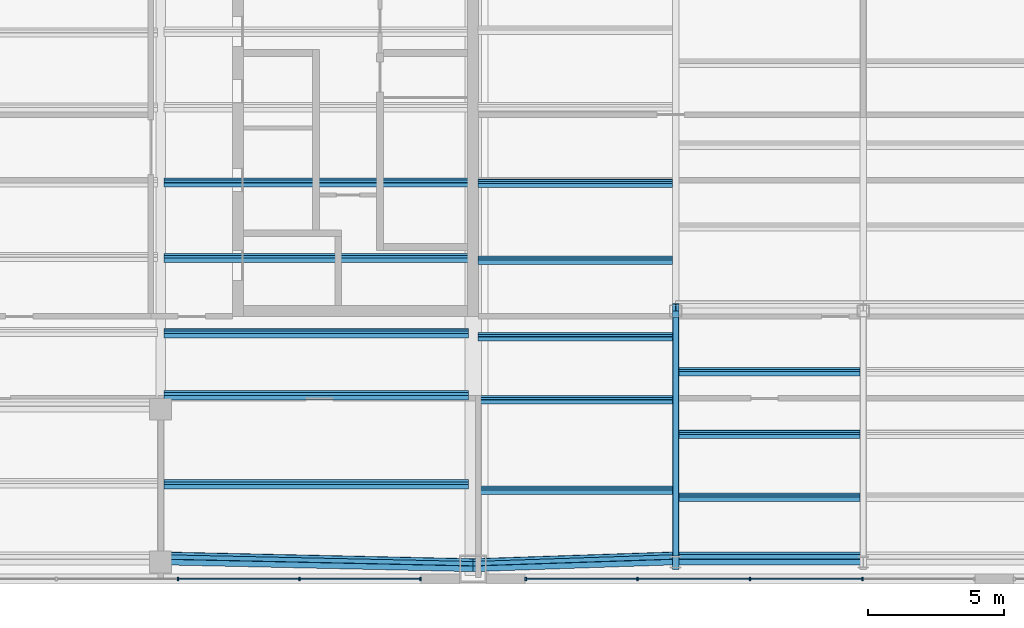
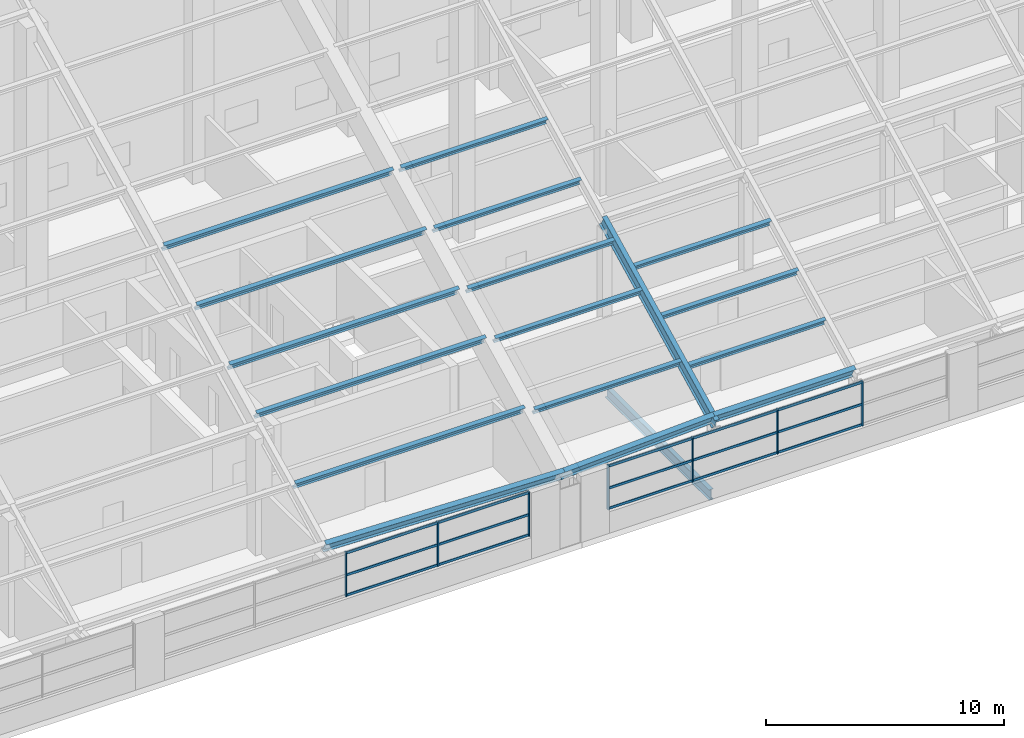
# One storey, part 7 of 28: 39 members, 1 beam, 2 elements without a shape of their own.
"""IFC4 building model written with IfcOpenShell, lengths in metres."""

from ifc_helpers import new_model, si_unit, direction, frame, origin, origin_2d, place, context, subcontext, project, spatial, rectangle, i_section, extrude, material, material_profile, profile_set, type_object, element, aggregate, save


model = new_model("IFC4")

# Units and contexts
model_context = context("Model", 3, precision=1e-05, world=origin(), true_north=direction((0.0, 1.0)))
body_context = subcontext(model_context, "Body", "Model", "MODEL_VIEW")
ifc_project = project(units=[si_unit("LENGTHUNIT", "METRE"), si_unit("AREAUNIT", "SQUARE_METRE"), si_unit("VOLUMEUNIT", "CUBIC_METRE"), si_unit("PLANEANGLEUNIT", "RADIAN"), si_unit("MASSUNIT", "GRAM", prefix="KILO")], contexts=[model_context])

# Site, building, storey
site_placement = place(None, origin())
site = spatial("IfcSite", under=ifc_project, at=site_placement, CompositionType="ELEMENT")
building_placement = place(site_placement, origin())
building = spatial("IfcBuilding", under=site, at=building_placement, Name="Tuart Gate Housing", CompositionType="ELEMENT")
storey_placement = place(building_placement, frame((0.0, 0.0, 243.89990234375)))
storey = spatial("IfcBuildingStorey", under=building, at=storey_placement, Name="L68", CompositionType="ELEMENT", Elevation=243.89990234375)

# Members
ifc_material_1 = material(Name="Steel Grade 350", Category="steel")
ifc_material_profile_1 = material_profile(ifc_material_1, i_section(OverallWidth=0.22900390625, OverallDepth=0.612060546875, WebThickness=0.011962890625, FlangeThickness=0.01953125, at=origin_2d()), Name="610UB125")
ifc_profile_set_1 = profile_set([ifc_material_profile_1], Name="Steel Grade 350")
member_type_1 = type_object("IfcMemberType", Name="Crown purlin 610 UB125", PredefinedType="PURLIN", material=ifc_profile_set_1)
member_1_placement = place(storey_placement, frame((75.449951171875, 54.686767578125, 3.301513671875), z_axis=(0.999292216984, 0.03364598133, 0.016822990665), x_axis=(-0.037617349195, 0.893667083504, 0.44715106944)))
element("IfcMember", 1, at=member_1_placement, inside=storey, type_object=member_type_1, Name="Crown purlin 2", PredefinedType="PURLIN", context=body_context, shape_type="SweptSolid", body=[
    extrude(i_section(OverallWidth=0.22900390625, OverallDepth=0.612060546875, WebThickness=0.011962890625, FlangeThickness=0.01953125, at=origin_2d()), origin(), (0.0, 0.0, 1.0), 7.430419921875),
])
member_2_placement = place(storey_placement, frame((82.875, 54.936767578125, 3.426513671875), z_axis=(1.0, 0.0, 0.0), x_axis=(0.0, 0.89442680992, 0.44721435766)))
element("IfcMember", 2, at=member_2_placement, inside=storey, type_object=member_type_1, Name="Crown purlin 7", PredefinedType="PURLIN", context=body_context, shape_type="SweptSolid", body=[
    extrude(i_section(OverallWidth=0.22900390625, OverallDepth=0.612060546875, WebThickness=0.011962890625, FlangeThickness=0.01953125, at=origin_2d()), origin(), (0.0, 0.0, 1.0), 6.875),
])
ifc_material_2 = material(Name="Steel Grade 350", Category="steel")
ifc_material_profile_2 = material_profile(ifc_material_2, i_section(OverallWidth=0.22900390625, OverallDepth=0.612060546875, WebThickness=0.011962890625, FlangeThickness=0.01953125, at=origin_2d()), Name="610UB125")
ifc_profile_set_2 = profile_set([ifc_material_profile_2], Name="Steel Grade 350")
member_type_2 = type_object("IfcMemberType", Name="Crown purlin 610 UB125 (11.5-13.5 m)", PredefinedType="PURLIN", material=ifc_profile_set_2)
member_3_placement = place(storey_placement, frame((64.0, 54.936767578125, 3.426513671875), z_axis=(0.999702176669, -0.021827651526, -0.010913825763), x_axis=(0.024404056125, 0.894107142767, 0.447187722659)))
element("IfcMember", 3, at=member_3_placement, inside=storey, type_object=member_type_2, Name="Crown purlin 6", PredefinedType="PURLIN", context=body_context, shape_type="SweptSolid", body=[
    extrude(i_section(OverallWidth=0.22900390625, OverallDepth=0.612060546875, WebThickness=0.011962890625, FlangeThickness=0.01953125, at=origin_2d()), origin(), (0.0, 0.0, 1.0), 11.453369140625),
])
ifc_material_3 = material(Name="Steel Grade 350", Category="steel")
ifc_material_profile_3 = material_profile(ifc_material_3, i_section(OverallWidth=0.22900390625, OverallDepth=0.612060546875, WebThickness=0.011962890625, FlangeThickness=0.01953125, at=origin_2d()), Name="610UB125")
ifc_profile_set_3 = profile_set([ifc_material_profile_3], Name="Steel Grade 350")
member_type_3 = type_object("IfcMemberType", Name="Crown rafter 610 UB125 (10.3-10.6 m)", PredefinedType="RAFTER", material=ifc_profile_set_3)
member_4_placement = place(storey_placement, frame((82.875, 54.6630859375, 3.28955078125), z_axis=(0.0, 0.894427191, 0.4472135955), x_axis=(-1.0, 0.0, 0.0)))
element("IfcMember", 4, at=member_4_placement, inside=storey, type_object=member_type_3, Name="Crown rafter 12", PredefinedType="RAFTER", context=body_context, shape_type="SweptSolid", body=[
    extrude(i_section(OverallWidth=0.22900390625, OverallDepth=0.612060546875, WebThickness=0.011962890625, FlangeThickness=0.01953125, at=origin_2d()), origin(), (0.0, 0.0, 1.0), 10.591796875),
])
ifc_material_4 = material(Name="Steel Grade 350", Category="steel")
ifc_material_profile_4 = material_profile(ifc_material_4, i_section(OverallWidth=0.1708984375, OverallDepth=0.35205078125, WebThickness=0.0068359375, FlangeThickness=0.009765625, at=origin_2d()), Name="360UB44.7")
ifc_profile_set_4 = profile_set([ifc_material_profile_4], Name="Steel Grade 350")
member_type_4 = type_object("IfcMemberType", Name="Crown secondary purlin 360 UB44.7", PredefinedType="PURLIN", material=ifc_profile_set_4)
member_5_placement = place(storey_placement, frame((82.989501953125, 57.1787109375, 4.692626953125), z_axis=(1.0, 0.0, 0.0), x_axis=(0.0, 0.89442680992, 0.44721435766)))
element("IfcMember", 5, at=member_5_placement, inside=storey, type_object=member_type_4, Name="Crown secondary purlin 1", PredefinedType="PURLIN", context=body_context, shape_type="SweptSolid", body=[
    extrude(i_section(OverallWidth=0.1708984375, OverallDepth=0.35205078125, WebThickness=0.0068359375, FlangeThickness=0.009765625, at=origin_2d()), origin(), (0.0, 0.0, 1.0), 6.64599609375),
])
member_6_placement = place(storey_placement, frame((75.625, 57.437744140625, 4.822265625), z_axis=(1.0, 0.0, 0.0), x_axis=(0.0, 0.89442680992, 0.44721435766)))
element("IfcMember", 6, at=member_6_placement, inside=storey, type_object=member_type_4, Name="Crown secondary purlin 8", PredefinedType="PURLIN", context=body_context, shape_type="SweptSolid", body=[
    extrude(i_section(OverallWidth=0.1708984375, OverallDepth=0.35205078125, WebThickness=0.0068359375, FlangeThickness=0.009765625, at=origin_2d()), origin(), (0.0, 0.0, 1.0), 7.135498046875),
])
member_7_placement = place(storey_placement, frame((82.989501953125, 59.478759765625, 5.8427734375), z_axis=(1.0, 0.0, 0.0), x_axis=(0.0, 0.89442680992, 0.44721435766)))
element("IfcMember", 7, at=member_7_placement, inside=storey, type_object=member_type_4, Name="Crown secondary purlin 16", PredefinedType="PURLIN", context=body_context, shape_type="SweptSolid", body=[
    extrude(i_section(OverallWidth=0.1708984375, OverallDepth=0.35205078125, WebThickness=0.0068359375, FlangeThickness=0.009765625, at=origin_2d()), origin(), (0.0, 0.0, 1.0), 6.64599609375),
])
member_8_placement = place(storey_placement, frame((75.625, 60.746826171875, 6.476806640625), z_axis=(1.0, 0.0, 0.0), x_axis=(0.0, 0.89442680992, 0.44721435766)))
element("IfcMember", 8, at=member_8_placement, inside=storey, type_object=member_type_4, Name="Crown secondary purlin 23", PredefinedType="PURLIN", context=body_context, shape_type="SweptSolid", body=[
    extrude(i_section(OverallWidth=0.1708984375, OverallDepth=0.35205078125, WebThickness=0.0068359375, FlangeThickness=0.009765625, at=origin_2d()), origin(), (0.0, 0.0, 1.0), 7.135498046875),
])
member_9_placement = place(storey_placement, frame((82.989501953125, 61.77880859375, 6.99267578125), z_axis=(1.0, 0.0, 0.0), x_axis=(0.0, 0.89442680992, 0.44721435766)))
element("IfcMember", 9, at=member_9_placement, inside=storey, type_object=member_type_4, Name="Crown secondary purlin 28", PredefinedType="PURLIN", context=body_context, shape_type="SweptSolid", body=[
    extrude(i_section(OverallWidth=0.1708984375, OverallDepth=0.35205078125, WebThickness=0.0068359375, FlangeThickness=0.009765625, at=origin_2d()), origin(), (0.0, 0.0, 1.0), 6.64599609375),
])
for number, where, z_axis, x_axis, name in (
    (10, (75.625, 63.055908203125, 7.63134765625), (1.0, 0.0, 0.0), (0.0, 0.89442680992, 0.44721435766), "Crown secondary purlin 35"),
    (11, (75.625, 65.864990234375, 9.035888671875), (1.0, 0.0, 0.0), (0.0, 0.89442680992, 0.44721435766), "Crown secondary purlin 44"),
    (12, (75.625, 68.67431640625, 10.4404296875), (1.0, 0.0, 0.0), (0.0, 0.89442680992, 0.44721435766), "Crown secondary purlin 62"),
):
    element("IfcMember", number, at=place(storey_placement, frame(where, z_axis=z_axis, x_axis=x_axis)), inside=storey, type_object=member_type_4, Name=name, PredefinedType="PURLIN", context=body_context, shape_type="SweptSolid", body=[
        extrude(i_section(OverallWidth=0.1708984375, OverallDepth=0.35205078125, WebThickness=0.0068359375, FlangeThickness=0.009765625, at=origin_2d()), origin(), (0.0, 0.0, 1.0), 7.135498046875),
    ])
ifc_material_5 = material(Name="Steel Grade 350", Category="steel")
ifc_material_profile_5 = material_profile(ifc_material_5, i_section(OverallWidth=0.177978515625, OverallDepth=0.403076171875, WebThickness=0.007568359375, FlangeThickness=0.010986328125, at=origin_2d()), Name="410UB53.7")
ifc_profile_set_5 = profile_set([ifc_material_profile_5], Name="Steel Grade 350")
member_type_5 = type_object("IfcMemberType", Name="Crown secondary purlin 410 UB53.7", PredefinedType="PURLIN", material=ifc_profile_set_5)
for number, where, z_axis, x_axis, name in (
    (13, (64.114501953125, 57.65380859375, 4.901611328125), (1.0, 0.0, 0.0), (0.0, 0.89442680992, 0.44721435766), "Crown secondary purlin 12"),
    (14, (64.114501953125, 60.91748046875, 6.533447265625), (1.0, 0.0, 0.0), (0.0, 0.89442680992, 0.44721435766), "Crown secondary purlin 25"),
    (15, (64.114501953125, 63.180908203125, 7.665283203125), (1.0, 0.0, 0.0), (0.0, 0.89442680992, 0.44721435766), "Crown secondary purlin 39"),
    (16, (64.114501953125, 65.944580078125, 9.047119140625), (1.0, 0.0, 0.0), (0.0, 0.89442680992, 0.44721435766), "Crown secondary purlin 48"),
    (17, (64.114501953125, 68.708251953125, 10.428955078125), (1.0, 0.0, 0.0), (0.0, 0.89442680992, 0.44721435766), "Crown secondary purlin 61"),
):
    element("IfcMember", number, at=place(storey_placement, frame(where, z_axis=z_axis, x_axis=x_axis)), inside=storey, type_object=member_type_5, Name=name, PredefinedType="PURLIN", context=body_context, shape_type="SweptSolid", body=[
        extrude(i_section(OverallWidth=0.177978515625, OverallDepth=0.403076171875, WebThickness=0.007568359375, FlangeThickness=0.010986328125, at=origin_2d()), origin(), (0.0, 0.0, 1.0), 11.160400390625),
    ])

# Beam
ifc_material_6 = material(Name="Steel Grade 350", Category="steel")
ifc_material_profile_6 = material_profile(ifc_material_6, i_section(OverallWidth=0.208984375, OverallDepth=0.532958984375, WebThickness=0.01025390625, FlangeThickness=0.015625, at=origin_2d()), Name="530UB92.4")
ifc_profile_set_6 = profile_set([ifc_material_profile_6], Name="Steel Grade 350")
beam_type = type_object("IfcBeamType", Name="Floor beam 530 UB92.4", PredefinedType="BEAM", material=ifc_profile_set_6)
beam_placement = place(storey_placement, frame((82.875, 55.014892578125, -0.56689453125), z_axis=(0.0, 1.0, 0.0), x_axis=(-1.0, 0.0, 0.0)))
element("IfcBeam", 18, at=beam_placement, inside=storey, type_object=beam_type, Name="Block floor beam L68 bay 1 position 1", PredefinedType="BEAM", context=body_context, shape_type="SweptSolid", body=[
    extrude(i_section(OverallWidth=0.208984375, OverallDepth=0.532958984375, WebThickness=0.01025390625, FlangeThickness=0.015625, at=origin_2d()), origin(), (0.0, 0.0, 1.0), 8.77001953125),
])

# Curtain wall, members
ifc_material_7 = material(Name="Aluminium and clear glass", Category="aluminium")
curtain_wall_type = type_object("IfcCurtainWallType", Name="Crown clerestory glazing", PredefinedType="USERDEFINED", material=ifc_material_7)
curtain_wall_1_placement = place(storey_placement, origin())
curtain_wall_1 = element("IfcCurtainWall", 19, at=curtain_wall_1_placement, inside=storey, type_object=curtain_wall_type, Name="Crown clerestory glazing BLK-S L68", ObjectType="CROWN CLERESTORY GLAZING", PredefinedType="USERDEFINED")
ifc_material_8 = material(Name="Anodised aluminium", Category="aluminium")
ifc_material_profile_7 = material_profile(ifc_material_8, rectangle(XDim=0.06005859375, YDim=0.125, at=origin_2d()), Name="60x125")
ifc_profile_set_7 = profile_set([ifc_material_profile_7], Name="Anodised aluminium")
member_type_6 = type_object("IfcMemberType", Name="Mullion 60 x 125", PredefinedType="MULLION", material=ifc_profile_set_7)
member_10_placement = place(storey_placement, frame((64.631103515625, 54.179931640625, 1.10009765625), z_axis=(0.0, 0.0, 1.0), x_axis=(1.0, 0.0, 0.0)))
member_10 = element("IfcMember", 20, at=member_10_placement, type_object=member_type_6, Name="CW6 mullion 3", PredefinedType="MULLION", context=body_context, shape_type="SweptSolid", body=[
    extrude(rectangle(XDim=0.06005859375, YDim=0.125, at=origin_2d()), origin(), (0.0, 0.0, 1.0), 2.2900390625),
])
member_11_placement = place(storey_placement, frame((69.090576171875, 54.179931640625, 1.10009765625), z_axis=(0.0, 0.0, 1.0), x_axis=(1.0, 0.0, 0.0)))
member_11 = element("IfcMember", 21, at=member_11_placement, type_object=member_type_6, Name="CW6 mullion 4", PredefinedType="MULLION", context=body_context, shape_type="SweptSolid", body=[
    extrude(rectangle(XDim=0.06005859375, YDim=0.125, at=origin_2d()), origin(), (0.0, 0.0, 1.0), 2.2900390625),
])
member_12_placement = place(storey_placement, frame((73.52001953125, 54.179931640625, 1.10009765625), z_axis=(0.0, 0.0, 1.0), x_axis=(1.0, 0.0, 0.0)))
member_12 = element("IfcMember", 22, at=member_12_placement, type_object=member_type_6, Name="CW6 mullion 5", PredefinedType="MULLION", context=body_context, shape_type="SweptSolid", body=[
    extrude(rectangle(XDim=0.06005859375, YDim=0.125, at=origin_2d()), origin(), (0.0, 0.0, 1.0), 2.2900390625),
])

curtain_wall_2_placement = place(storey_placement, origin())
curtain_wall_2 = element("IfcCurtainWall", 23, at=curtain_wall_2_placement, inside=storey, type_object=curtain_wall_type, Name="Crown clerestory glazing BLK-S L68", ObjectType="CROWN CLERESTORY GLAZING", PredefinedType="USERDEFINED")
member_13_placement = place(storey_placement, frame((77.3798828125, 54.179931640625, 1.10009765625), z_axis=(0.0, 0.0, 1.0), x_axis=(1.0, 0.0, 0.0)))
member_13 = element("IfcMember", 24, at=member_13_placement, type_object=member_type_6, Name="CW6 mullion 1", PredefinedType="MULLION", context=body_context, shape_type="SweptSolid", body=[
    extrude(rectangle(XDim=0.06005859375, YDim=0.125, at=origin_2d()), origin(), (0.0, 0.0, 1.0), 2.2900390625),
])
member_14_placement = place(storey_placement, frame((81.47509765625, 54.179931640625, 1.10009765625), z_axis=(0.0, 0.0, 1.0), x_axis=(1.0, 0.0, 0.0)))
member_14 = element("IfcMember", 25, at=member_14_placement, type_object=member_type_6, Name="CW6 mullion 2", PredefinedType="MULLION", context=body_context, shape_type="SweptSolid", body=[
    extrude(rectangle(XDim=0.06005859375, YDim=0.125, at=origin_2d()), origin(), (0.0, 0.0, 1.0), 2.2900390625),
])
member_15_placement = place(storey_placement, frame((85.60009765625, 54.179931640625, 1.10009765625), z_axis=(0.0, 0.0, 1.0), x_axis=(1.0, 0.0, 0.0)))
member_15 = element("IfcMember", 26, at=member_15_placement, type_object=member_type_6, Name="CW6 mullion 3", PredefinedType="MULLION", context=body_context, shape_type="SweptSolid", body=[
    extrude(rectangle(XDim=0.06005859375, YDim=0.125, at=origin_2d()), origin(), (0.0, 0.0, 1.0), 2.2900390625),
])
member_16_placement = place(storey_placement, frame((89.72509765625, 54.179931640625, 1.10009765625), z_axis=(0.0, 0.0, 1.0), x_axis=(1.0, 0.0, 0.0)))
member_16 = element("IfcMember", 27, at=member_16_placement, type_object=member_type_6, Name="CW6 mullion 4", PredefinedType="MULLION", context=body_context, shape_type="SweptSolid", body=[
    extrude(rectangle(XDim=0.06005859375, YDim=0.125, at=origin_2d()), origin(), (0.0, 0.0, 1.0), 2.2900390625),
])

# Member
ifc_material_9 = material(Name="Anodised aluminium", Category="aluminium")
ifc_material_profile_8 = material_profile(ifc_material_9, rectangle(XDim=0.06005859375, YDim=0.1201171875, at=origin_2d()), Name="60x120")
ifc_profile_set_8 = profile_set([ifc_material_profile_8], Name="Anodised aluminium")
member_type_7 = type_object("IfcMemberType", Name="Transom 60 x 120", PredefinedType="USERDEFINED", material=ifc_profile_set_8)
member_17_placement = place(storey_placement, frame((64.6611328125, 54.179931640625, 1.16015625), z_axis=(1.0, 0.0, 0.0), x_axis=(0.0, 1.0, 0.0)))
member_17 = element("IfcMember", 28, at=member_17_placement, type_object=member_type_7, Name="CW6 transom 3.1", ObjectType="TRANSOM", PredefinedType="USERDEFINED", context=body_context, shape_type="SweptSolid", body=[
    extrude(rectangle(XDim=0.06005859375, YDim=0.1201171875, at=origin_2d()), origin(), (0.0, 0.0, 1.0), 4.3994140625),
])

member_18_placement = place(storey_placement, frame((64.6611328125, 54.179931640625, 2.2001953125), z_axis=(1.0, 0.0, 0.0), x_axis=(0.0, 1.0, 0.0)))
member_18 = element("IfcMember", 29, at=member_18_placement, type_object=member_type_7, Name="CW6 transom 3.2", ObjectType="TRANSOM", PredefinedType="USERDEFINED", context=body_context, shape_type="SweptSolid", body=[
    extrude(rectangle(XDim=0.06005859375, YDim=0.1201171875, at=origin_2d()), origin(), (0.0, 0.0, 1.0), 4.3994140625),
])

member_19_placement = place(storey_placement, frame((64.6611328125, 54.179931640625, 3.330078125), z_axis=(1.0, 0.0, 0.0), x_axis=(0.0, 1.0, 0.0)))
member_19 = element("IfcMember", 30, at=member_19_placement, type_object=member_type_7, Name="CW6 transom 3.3", ObjectType="TRANSOM", PredefinedType="USERDEFINED", context=body_context, shape_type="SweptSolid", body=[
    extrude(rectangle(XDim=0.06005859375, YDim=0.1201171875, at=origin_2d()), origin(), (0.0, 0.0, 1.0), 4.3994140625),
])

member_20_placement = place(storey_placement, frame((69.12060546875, 54.179931640625, 1.16015625), z_axis=(1.0, 0.0, 0.0), x_axis=(0.0, 1.0, 0.0)))
member_20 = element("IfcMember", 31, at=member_20_placement, type_object=member_type_7, Name="CW6 transom 4.1", ObjectType="TRANSOM", PredefinedType="USERDEFINED", context=body_context, shape_type="SweptSolid", body=[
    extrude(rectangle(XDim=0.06005859375, YDim=0.1201171875, at=origin_2d()), origin(), (0.0, 0.0, 1.0), 4.369384765625),
])

member_21_placement = place(storey_placement, frame((69.12060546875, 54.179931640625, 2.2001953125), z_axis=(1.0, 0.0, 0.0), x_axis=(0.0, 1.0, 0.0)))
member_21 = element("IfcMember", 32, at=member_21_placement, type_object=member_type_7, Name="CW6 transom 4.2", ObjectType="TRANSOM", PredefinedType="USERDEFINED", context=body_context, shape_type="SweptSolid", body=[
    extrude(rectangle(XDim=0.06005859375, YDim=0.1201171875, at=origin_2d()), origin(), (0.0, 0.0, 1.0), 4.369384765625),
])

member_22_placement = place(storey_placement, frame((69.12060546875, 54.179931640625, 3.330078125), z_axis=(1.0, 0.0, 0.0), x_axis=(0.0, 1.0, 0.0)))
member_22 = element("IfcMember", 33, at=member_22_placement, type_object=member_type_7, Name="CW6 transom 4.3", ObjectType="TRANSOM", PredefinedType="USERDEFINED", context=body_context, shape_type="SweptSolid", body=[
    extrude(rectangle(XDim=0.06005859375, YDim=0.1201171875, at=origin_2d()), origin(), (0.0, 0.0, 1.0), 4.369384765625),
])

aggregate(curtain_wall_1, [member_10, member_11, member_12, member_17, member_18, member_19, member_20, member_21, member_22])

member_23_placement = place(storey_placement, frame((77.409912109375, 54.179931640625, 1.16015625), z_axis=(1.0, 0.0, 0.0), x_axis=(0.0, 1.0, 0.0)))
member_23 = element("IfcMember", 34, at=member_23_placement, type_object=member_type_7, Name="CW6 transom 1.1", ObjectType="TRANSOM", PredefinedType="USERDEFINED", context=body_context, shape_type="SweptSolid", body=[
    extrude(rectangle(XDim=0.06005859375, YDim=0.1201171875, at=origin_2d()), origin(), (0.0, 0.0, 1.0), 4.03515625),
])

member_24_placement = place(storey_placement, frame((77.409912109375, 54.179931640625, 2.2001953125), z_axis=(1.0, 0.0, 0.0), x_axis=(0.0, 1.0, 0.0)))
member_24 = element("IfcMember", 35, at=member_24_placement, type_object=member_type_7, Name="CW6 transom 1.2", ObjectType="TRANSOM", PredefinedType="USERDEFINED", context=body_context, shape_type="SweptSolid", body=[
    extrude(rectangle(XDim=0.06005859375, YDim=0.1201171875, at=origin_2d()), origin(), (0.0, 0.0, 1.0), 4.03515625),
])

member_25_placement = place(storey_placement, frame((77.409912109375, 54.179931640625, 3.330078125), z_axis=(1.0, 0.0, 0.0), x_axis=(0.0, 1.0, 0.0)))
member_25 = element("IfcMember", 36, at=member_25_placement, type_object=member_type_7, Name="CW6 transom 1.3", ObjectType="TRANSOM", PredefinedType="USERDEFINED", context=body_context, shape_type="SweptSolid", body=[
    extrude(rectangle(XDim=0.06005859375, YDim=0.1201171875, at=origin_2d()), origin(), (0.0, 0.0, 1.0), 4.03515625),
])

member_26_placement = place(storey_placement, frame((81.5048828125, 54.179931640625, 1.16015625), z_axis=(1.0, 0.0, 0.0), x_axis=(0.0, 1.0, 0.0)))
member_26 = element("IfcMember", 37, at=member_26_placement, type_object=member_type_7, Name="CW6 transom 2.1", ObjectType="TRANSOM", PredefinedType="USERDEFINED", context=body_context, shape_type="SweptSolid", body=[
    extrude(rectangle(XDim=0.06005859375, YDim=0.1201171875, at=origin_2d()), origin(), (0.0, 0.0, 1.0), 4.065185546875),
])

member_27_placement = place(storey_placement, frame((81.5048828125, 54.179931640625, 2.2001953125), z_axis=(1.0, 0.0, 0.0), x_axis=(0.0, 1.0, 0.0)))
member_27 = element("IfcMember", 38, at=member_27_placement, type_object=member_type_7, Name="CW6 transom 2.2", ObjectType="TRANSOM", PredefinedType="USERDEFINED", context=body_context, shape_type="SweptSolid", body=[
    extrude(rectangle(XDim=0.06005859375, YDim=0.1201171875, at=origin_2d()), origin(), (0.0, 0.0, 1.0), 4.065185546875),
])

member_28_placement = place(storey_placement, frame((81.5048828125, 54.179931640625, 3.330078125), z_axis=(1.0, 0.0, 0.0), x_axis=(0.0, 1.0, 0.0)))
member_28 = element("IfcMember", 39, at=member_28_placement, type_object=member_type_7, Name="CW6 transom 2.3", ObjectType="TRANSOM", PredefinedType="USERDEFINED", context=body_context, shape_type="SweptSolid", body=[
    extrude(rectangle(XDim=0.06005859375, YDim=0.1201171875, at=origin_2d()), origin(), (0.0, 0.0, 1.0), 4.065185546875),
])

member_29_placement = place(storey_placement, frame((85.6298828125, 54.179931640625, 1.16015625), z_axis=(1.0, 0.0, 0.0), x_axis=(0.0, 1.0, 0.0)))
member_29 = element("IfcMember", 40, at=member_29_placement, type_object=member_type_7, Name="CW6 transom 3.1", ObjectType="TRANSOM", PredefinedType="USERDEFINED", context=body_context, shape_type="SweptSolid", body=[
    extrude(rectangle(XDim=0.06005859375, YDim=0.1201171875, at=origin_2d()), origin(), (0.0, 0.0, 1.0), 4.065185546875),
])

member_30_placement = place(storey_placement, frame((85.6298828125, 54.179931640625, 2.2001953125), z_axis=(1.0, 0.0, 0.0), x_axis=(0.0, 1.0, 0.0)))
member_30 = element("IfcMember", 41, at=member_30_placement, type_object=member_type_7, Name="CW6 transom 3.2", ObjectType="TRANSOM", PredefinedType="USERDEFINED", context=body_context, shape_type="SweptSolid", body=[
    extrude(rectangle(XDim=0.06005859375, YDim=0.1201171875, at=origin_2d()), origin(), (0.0, 0.0, 1.0), 4.065185546875),
])

member_31_placement = place(storey_placement, frame((85.6298828125, 54.179931640625, 3.330078125), z_axis=(1.0, 0.0, 0.0), x_axis=(0.0, 1.0, 0.0)))
member_31 = element("IfcMember", 42, at=member_31_placement, type_object=member_type_7, Name="CW6 transom 3.3", ObjectType="TRANSOM", PredefinedType="USERDEFINED", context=body_context, shape_type="SweptSolid", body=[
    extrude(rectangle(XDim=0.06005859375, YDim=0.1201171875, at=origin_2d()), origin(), (0.0, 0.0, 1.0), 4.065185546875),
])

aggregate(curtain_wall_2, [member_13, member_14, member_15, member_16, member_23, member_24, member_25, member_26, member_27, member_28, member_29, member_30, member_31])

save(model, "model.ifc")
